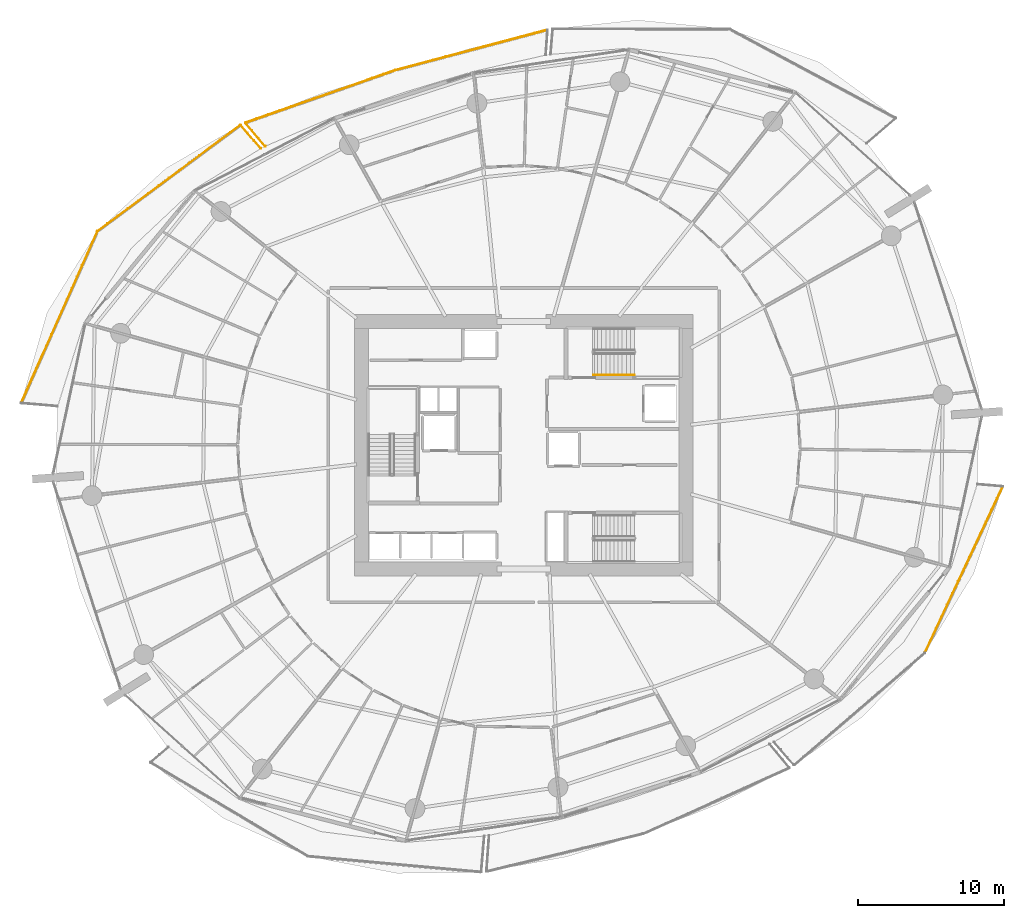
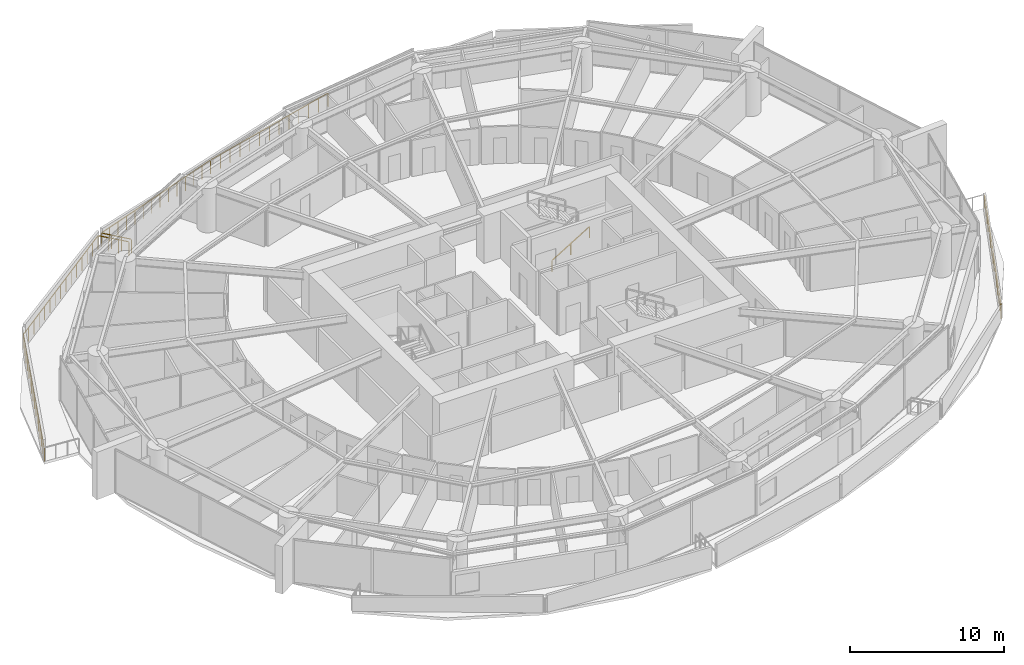
# One storey, part 29 of 31: 8 railings.
"""IFC4 building model written with IfcOpenShell, lengths in metres."""

from ifc_helpers import new_model, si_unit, direction, frame, origin, origin_2d, place, context, subcontext, project, spatial, rectangle, extrude, material, type_object, element, save


model = new_model("IFC4")

# Units and contexts
model_context = context("Model", 3, precision=1e-05, world=origin(), true_north=direction((0.0, 1.0)))
body_context = subcontext(model_context, "Body", "Model", "MODEL_VIEW")
ifc_project = project(units=[si_unit("LENGTHUNIT", "METRE"), si_unit("AREAUNIT", "SQUARE_METRE"), si_unit("VOLUMEUNIT", "CUBIC_METRE"), si_unit("PLANEANGLEUNIT", "RADIAN"), si_unit("MASSUNIT", "GRAM", prefix="KILO")], contexts=[model_context])

# Site, building, storey
site_placement = place(None, origin())
site = spatial("IfcSite", under=ifc_project, at=site_placement, CompositionType="ELEMENT")
building_placement = place(site_placement, origin())
building = spatial("IfcBuilding", under=site, at=building_placement, Name="Kazma Halo Residences", CompositionType="ELEMENT")
storey_placement = place(building_placement, frame((0.0, 0.0, 45.14990234375)))
storey = spatial("IfcBuildingStorey", under=building, at=storey_placement, Name="L10", CompositionType="ELEMENT", Elevation=45.14990234375)

# Railings
ifc_material_1 = material(Name="Aluminium AW-6063 T6 Brushed Cap Rail", Category="aluminium")
railing_type_1 = type_object("IfcRailingType", Name="RLG-BAL-CAP-1120", PredefinedType="BALUSTRADE", material=ifc_material_1)
railing_1_placement = place(storey_placement, frame((50.06103515625, 70.406494140625, 0.0)))
element("IfcRailing", 1, at=railing_1_placement, inside=storey, type_object=railing_type_1, Name="L10 NNW wave balcony guard 2", PredefinedType="BALUSTRADE", context=body_context, shape_type="SweptSolid", body=[
    extrude(rectangle(XDim=0.050048828125, YDim=0.050048828125, at=origin_2d()), frame((-0.041015625, -0.010986328125, 1.09521484375), z_axis=(-0.96658520926, -0.256345534853, 0.0), x_axis=(0.256345534853, -0.96658520926, 0.0)), (0.0, 0.0, 1.0), 10.669189453125),
    extrude(rectangle(XDim=0.0400390625, YDim=0.0400390625, at=origin_2d()), origin(), (0.0, 0.0, 1.0), 1.05810546875),
    extrude(rectangle(XDim=0.0400390625, YDim=0.0400390625, at=origin_2d()), frame((-0.8662109375, -0.229736328125, 0.0)), (0.0, 0.0, 1.0), 1.05810546875),
    extrude(rectangle(XDim=0.0400390625, YDim=0.0400390625, at=origin_2d()), frame((-1.732421875, -0.45947265625, 0.0)), (0.0, 0.0, 1.0), 1.05810546875),
    extrude(rectangle(XDim=0.0400390625, YDim=0.0400390625, at=origin_2d()), frame((-2.5986328125, -0.689208984375, 0.0)), (0.0, 0.0, 1.0), 1.05810546875),
    extrude(rectangle(XDim=0.0400390625, YDim=0.0400390625, at=origin_2d()), frame((-3.465087890625, -0.9189453125, 0.0)), (0.0, 0.0, 1.0), 1.05810546875),
    extrude(rectangle(XDim=0.0400390625, YDim=0.0400390625, at=origin_2d()), frame((-4.331298828125, -1.148681640625, 0.0)), (0.0, 0.0, 1.0), 1.05810546875),
    extrude(rectangle(XDim=0.0400390625, YDim=0.0400390625, at=origin_2d()), frame((-5.197509765625, -1.37841796875, 0.0)), (0.0, 0.0, 1.0), 1.05810546875),
    extrude(rectangle(XDim=0.0400390625, YDim=0.0400390625, at=origin_2d()), frame((-6.063720703125, -1.608154296875, 0.0)), (0.0, 0.0, 1.0), 1.05810546875),
    extrude(rectangle(XDim=0.0400390625, YDim=0.0400390625, at=origin_2d()), frame((-6.929931640625, -1.837890625, 0.0)), (0.0, 0.0, 1.0), 1.05810546875),
    extrude(rectangle(XDim=0.0400390625, YDim=0.0400390625, at=origin_2d()), frame((-7.79638671875, -2.067626953125, 0.0)), (0.0, 0.0, 1.0), 1.05810546875),
    extrude(rectangle(XDim=0.0400390625, YDim=0.0400390625, at=origin_2d()), frame((-8.66259765625, -2.29736328125, 0.0)), (0.0, 0.0, 1.0), 1.05810546875),
    extrude(rectangle(XDim=0.0400390625, YDim=0.0400390625, at=origin_2d()), frame((-9.52880859375, -2.527099609375, 0.0)), (0.0, 0.0, 1.0), 1.05810546875),
    extrude(rectangle(XDim=0.0400390625, YDim=0.0400390625, at=origin_2d()), frame((-10.39501953125, -2.7568359375, 0.0)), (0.0, 0.0, 1.0), 1.05810546875),
])
railing_2_placement = place(storey_placement, frame((39.666015625, 67.649658203125, 0.0)))
element("IfcRailing", 2, at=railing_2_placement, inside=storey, type_object=railing_type_1, Name="L10 NNW wave balcony guard 3", PredefinedType="BALUSTRADE", context=body_context, shape_type="SweptSolid", body=[
    extrude(rectangle(XDim=0.050048828125, YDim=0.050048828125, at=origin_2d()), frame((-0.0400390625, -0.01416015625, 1.09521484375), z_axis=(-0.94363281915, -0.330994112672, 0.0), x_axis=(0.330994112672, -0.94363281915, 0.0)), (0.0, 0.0, 1.0), 10.793701171875),
    extrude(rectangle(XDim=0.0400390625, YDim=0.0400390625, at=origin_2d()), origin(), (0.0, 0.0, 1.0), 1.05810546875),
    extrude(rectangle(XDim=0.0400390625, YDim=0.0400390625, at=origin_2d()), frame((-0.78955078125, -0.277099609375, 0.0)), (0.0, 0.0, 1.0), 1.05810546875),
    extrude(rectangle(XDim=0.0400390625, YDim=0.0400390625, at=origin_2d()), frame((-1.579345703125, -0.553955078125, 0.0)), (0.0, 0.0, 1.0), 1.05810546875),
    extrude(rectangle(XDim=0.0400390625, YDim=0.0400390625, at=origin_2d()), frame((-2.368896484375, -0.8310546875, 0.0)), (0.0, 0.0, 1.0), 1.05810546875),
    extrude(rectangle(XDim=0.0400390625, YDim=0.0400390625, at=origin_2d()), frame((-3.15869140625, -1.10791015625, 0.0)), (0.0, 0.0, 1.0), 1.05810546875),
    extrude(rectangle(XDim=0.0400390625, YDim=0.0400390625, at=origin_2d()), frame((-3.9482421875, -1.385009765625, 0.0)), (0.0, 0.0, 1.0), 1.05810546875),
    extrude(rectangle(XDim=0.0400390625, YDim=0.0400390625, at=origin_2d()), frame((-4.738037109375, -1.661865234375, 0.0)), (0.0, 0.0, 1.0), 1.05810546875),
    extrude(rectangle(XDim=0.0400390625, YDim=0.0400390625, at=origin_2d()), frame((-5.527587890625, -1.93896484375, 0.0)), (0.0, 0.0, 1.0), 1.05810546875),
    extrude(rectangle(XDim=0.0400390625, YDim=0.0400390625, at=origin_2d()), frame((-6.3173828125, -2.2158203125, 0.0)), (0.0, 0.0, 1.0), 1.05810546875),
    extrude(rectangle(XDim=0.0400390625, YDim=0.0400390625, at=origin_2d()), frame((-7.10693359375, -2.492919921875, 0.0)), (0.0, 0.0, 1.0), 1.05810546875),
    extrude(rectangle(XDim=0.0400390625, YDim=0.0400390625, at=origin_2d()), frame((-7.896728515625, -2.769775390625, 0.0)), (0.0, 0.0, 1.0), 1.05810546875),
    extrude(rectangle(XDim=0.0400390625, YDim=0.0400390625, at=origin_2d()), frame((-8.686279296875, -3.046875, 0.0)), (0.0, 0.0, 1.0), 1.05810546875),
    extrude(rectangle(XDim=0.0400390625, YDim=0.0400390625, at=origin_2d()), frame((-9.47607421875, -3.32373046875, 0.0)), (0.0, 0.0, 1.0), 1.05810546875),
    extrude(rectangle(XDim=0.0400390625, YDim=0.0400390625, at=origin_2d()), frame((-10.265625, -3.600830078125, 0.0)), (0.0, 0.0, 1.0), 1.05810546875),
])
railing_3_placement = place(storey_placement, frame((29.400390625, 64.048828125, 0.0)))
element("IfcRailing", 3, at=railing_3_placement, inside=storey, type_object=railing_type_1, Name="L10 NNW wave balcony guard 4", PredefinedType="BALUSTRADE", context=body_context, shape_type="SweptSolid", body=[
    extrude(rectangle(XDim=0.050048828125, YDim=0.050048828125, at=origin_2d()), frame((0.02734375, -0.032470703125, 1.09521484375), z_axis=(0.644756106084, -0.764388359191, 0.0), x_axis=(0.764388359191, 0.644756106084, 0.0)), (0.0, 0.0, 1.0), 2.0107421875),
    extrude(rectangle(XDim=0.0400390625, YDim=0.0400390625, at=origin_2d()), origin(), (0.0, 0.0, 1.0), 1.05810546875),
    extrude(rectangle(XDim=0.0400390625, YDim=0.0400390625, at=origin_2d()), frame((0.450439453125, -0.533935546875, 0.0)), (0.0, 0.0, 1.0), 1.05810546875),
    extrude(rectangle(XDim=0.0400390625, YDim=0.0400390625, at=origin_2d()), frame((0.90087890625, -1.068115234375, 0.0)), (0.0, 0.0, 1.0), 1.05810546875),
    extrude(rectangle(XDim=0.0400390625, YDim=0.0400390625, at=origin_2d()), frame((1.351318359375, -1.60205078125, 0.0)), (0.0, 0.0, 1.0), 1.05810546875),
])
railing_4_placement = place(storey_placement, frame((30.453857421875, 62.29150390625, 0.0)))
element("IfcRailing", 4, at=railing_4_placement, inside=storey, type_object=railing_type_1, Name="L10 NW wave balcony guard 1", PredefinedType="BALUSTRADE", context=body_context, shape_type="SweptSolid", body=[
    extrude(rectangle(XDim=0.050048828125, YDim=0.050048828125, at=origin_2d()), frame((-0.02783203125, 0.0322265625, 1.09521484375), z_axis=(-0.654075382173, 0.756429371743, 0.0), x_axis=(-0.756429371743, -0.654075382173, 0.0)), (0.0, 0.0, 1.0), 2.035400390625),
    extrude(rectangle(XDim=0.0400390625, YDim=0.0400390625, at=origin_2d()), origin(), (0.0, 0.0, 1.0), 1.05810546875),
    extrude(rectangle(XDim=0.0400390625, YDim=0.0400390625, at=origin_2d()), frame((-0.46240234375, 0.53466796875, 0.0)), (0.0, 0.0, 1.0), 1.05810546875),
    extrude(rectangle(XDim=0.0400390625, YDim=0.0400390625, at=origin_2d()), frame((-0.924560546875, 1.0693359375, 0.0)), (0.0, 0.0, 1.0), 1.05810546875),
    extrude(rectangle(XDim=0.0400390625, YDim=0.0400390625, at=origin_2d()), frame((-1.386962890625, 1.60400390625, 0.0)), (0.0, 0.0, 1.0), 1.05810546875),
])
railing_5_placement = place(storey_placement, frame((29.06689453125, 63.8955078125, 0.0)))
element("IfcRailing", 5, at=railing_5_placement, inside=storey, type_object=railing_type_1, Name="L10 NW wave balcony guard 2", PredefinedType="BALUSTRADE", context=body_context, shape_type="SweptSolid", body=[
    extrude(rectangle(XDim=0.050048828125, YDim=0.050048828125, at=origin_2d()), frame((-0.0341796875, -0.025390625, 1.09521484375), z_axis=(-0.802949864107, -0.596046571779, 0.0), x_axis=(0.596046571779, -0.802949864107, 0.0)), (0.0, 0.0, 1.0), 12.1005859375),
    extrude(rectangle(XDim=0.0400390625, YDim=0.0400390625, at=origin_2d()), origin(), (0.0, 0.0, 1.0), 1.05810546875),
    extrude(rectangle(XDim=0.0400390625, YDim=0.0400390625, at=origin_2d()), frame((-0.698974609375, -0.518798828125, 0.0)), (0.0, 0.0, 1.0), 1.05810546875),
    extrude(rectangle(XDim=0.0400390625, YDim=0.0400390625, at=origin_2d()), frame((-1.397705078125, -1.03759765625, 0.0)), (0.0, 0.0, 1.0), 1.05810546875),
    extrude(rectangle(XDim=0.0400390625, YDim=0.0400390625, at=origin_2d()), frame((-2.0966796875, -1.556396484375, 0.0)), (0.0, 0.0, 1.0), 1.05810546875),
    extrude(rectangle(XDim=0.0400390625, YDim=0.0400390625, at=origin_2d()), frame((-2.795654296875, -2.0751953125, 0.0)), (0.0, 0.0, 1.0), 1.05810546875),
    extrude(rectangle(XDim=0.0400390625, YDim=0.0400390625, at=origin_2d()), frame((-3.494384765625, -2.593994140625, 0.0)), (0.0, 0.0, 1.0), 1.05810546875),
    extrude(rectangle(XDim=0.0400390625, YDim=0.0400390625, at=origin_2d()), frame((-4.193359375, -3.11279296875, 0.0)), (0.0, 0.0, 1.0), 1.05810546875),
    extrude(rectangle(XDim=0.0400390625, YDim=0.0400390625, at=origin_2d()), frame((-4.89208984375, -3.631591796875, 0.0)), (0.0, 0.0, 1.0), 1.05810546875),
    extrude(rectangle(XDim=0.0400390625, YDim=0.0400390625, at=origin_2d()), frame((-5.591064453125, -4.150390625, 0.0)), (0.0, 0.0, 1.0), 1.05810546875),
    extrude(rectangle(XDim=0.0400390625, YDim=0.0400390625, at=origin_2d()), frame((-6.2900390625, -4.669189453125, 0.0)), (0.0, 0.0, 1.0), 1.05810546875),
    extrude(rectangle(XDim=0.0400390625, YDim=0.0400390625, at=origin_2d()), frame((-6.98876953125, -5.18798828125, 0.0)), (0.0, 0.0, 1.0), 1.05810546875),
    extrude(rectangle(XDim=0.0400390625, YDim=0.0400390625, at=origin_2d()), frame((-7.687744140625, -5.706787109375, 0.0)), (0.0, 0.0, 1.0), 1.05810546875),
    extrude(rectangle(XDim=0.0400390625, YDim=0.0400390625, at=origin_2d()), frame((-8.38671875, -6.2255859375, 0.0)), (0.0, 0.0, 1.0), 1.05810546875),
    extrude(rectangle(XDim=0.0400390625, YDim=0.0400390625, at=origin_2d()), frame((-9.08544921875, -6.744384765625, 0.0)), (0.0, 0.0, 1.0), 1.05810546875),
    extrude(rectangle(XDim=0.0400390625, YDim=0.0400390625, at=origin_2d()), frame((-9.784423828125, -7.26318359375, 0.0)), (0.0, 0.0, 1.0), 1.05810546875),
])
railing_6_placement = place(storey_placement, frame((19.282470703125, 56.63232421875, 0.0)))
element("IfcRailing", 6, at=railing_6_placement, inside=storey, type_object=railing_type_1, Name="L10 NW wave balcony guard 3", PredefinedType="BALUSTRADE", context=body_context, shape_type="SweptSolid", body=[
    extrude(rectangle(XDim=0.050048828125, YDim=0.050048828125, at=origin_2d()), frame((-0.017333984375, -0.038818359375, 1.09521484375), z_axis=(-0.405946458784, -0.91389686103, 0.0), x_axis=(0.91389686103, -0.405946458784, 0.0)), (0.0, 0.0, 1.0), 12.77490234375),
    extrude(rectangle(XDim=0.0400390625, YDim=0.0400390625, at=origin_2d()), origin(), (0.0, 0.0, 1.0), 1.05810546875),
    extrude(rectangle(XDim=0.0400390625, YDim=0.0400390625, at=origin_2d()), frame((-0.34814453125, -0.783447265625, 0.0)), (0.0, 0.0, 1.0), 1.05810546875),
    extrude(rectangle(XDim=0.0400390625, YDim=0.0400390625, at=origin_2d()), frame((-0.696044921875, -1.567138671875, 0.0)), (0.0, 0.0, 1.0), 1.05810546875),
    extrude(rectangle(XDim=0.0400390625, YDim=0.0400390625, at=origin_2d()), frame((-1.044189453125, -2.3505859375, 0.0)), (0.0, 0.0, 1.0), 1.05810546875),
    extrude(rectangle(XDim=0.0400390625, YDim=0.0400390625, at=origin_2d()), frame((-1.39208984375, -3.134033203125, 0.0)), (0.0, 0.0, 1.0), 1.05810546875),
    extrude(rectangle(XDim=0.0400390625, YDim=0.0400390625, at=origin_2d()), frame((-1.740234375, -3.91748046875, 0.0)), (0.0, 0.0, 1.0), 1.05810546875),
    extrude(rectangle(XDim=0.0400390625, YDim=0.0400390625, at=origin_2d()), frame((-2.088134765625, -4.701171875, 0.0)), (0.0, 0.0, 1.0), 1.05810546875),
    extrude(rectangle(XDim=0.0400390625, YDim=0.0400390625, at=origin_2d()), frame((-2.436279296875, -5.484619140625, 0.0)), (0.0, 0.0, 1.0), 1.05810546875),
    extrude(rectangle(XDim=0.0400390625, YDim=0.0400390625, at=origin_2d()), frame((-2.7841796875, -6.26806640625, 0.0)), (0.0, 0.0, 1.0), 1.05810546875),
    extrude(rectangle(XDim=0.0400390625, YDim=0.0400390625, at=origin_2d()), frame((-3.13232421875, -7.051513671875, 0.0)), (0.0, 0.0, 1.0), 1.05810546875),
    extrude(rectangle(XDim=0.0400390625, YDim=0.0400390625, at=origin_2d()), frame((-3.480224609375, -7.835205078125, 0.0)), (0.0, 0.0, 1.0), 1.05810546875),
    extrude(rectangle(XDim=0.0400390625, YDim=0.0400390625, at=origin_2d()), frame((-3.828369140625, -8.61865234375, 0.0)), (0.0, 0.0, 1.0), 1.05810546875),
    extrude(rectangle(XDim=0.0400390625, YDim=0.0400390625, at=origin_2d()), frame((-4.17626953125, -9.402099609375, 0.0)), (0.0, 0.0, 1.0), 1.05810546875),
    extrude(rectangle(XDim=0.0400390625, YDim=0.0400390625, at=origin_2d()), frame((-4.5244140625, -10.185546875, 0.0)), (0.0, 0.0, 1.0), 1.05810546875),
    extrude(rectangle(XDim=0.0400390625, YDim=0.0400390625, at=origin_2d()), frame((-4.872314453125, -10.96923828125, 0.0)), (0.0, 0.0, 1.0), 1.05810546875),
    extrude(rectangle(XDim=0.0400390625, YDim=0.0400390625, at=origin_2d()), frame((-5.220458984375, -11.752685546875, 0.0)), (0.0, 0.0, 1.0), 1.05810546875),
])
railing_7_placement = place(storey_placement, frame((75.861328125, 27.803955078125, 0.0)))
element("IfcRailing", 7, at=railing_7_placement, inside=storey, type_object=railing_type_1, Name="L10 SE wave balcony guard 3", PredefinedType="BALUSTRADE", context=body_context, shape_type="SweptSolid", body=[
    extrude(rectangle(XDim=0.050048828125, YDim=0.050048828125, at=origin_2d()), frame((0.01806640625, 0.03857421875, 1.09521484375), z_axis=(0.424196429436, 0.905570201174, 0.0), x_axis=(-0.905570201174, 0.424196429436, 0.0)), (0.0, 0.0, 1.0), 12.481201171875),
    extrude(rectangle(XDim=0.0400390625, YDim=0.0400390625, at=origin_2d()), origin(), (0.0, 0.0, 1.0), 1.05810546875),
    extrude(rectangle(XDim=0.0400390625, YDim=0.0400390625, at=origin_2d()), frame((0.380859375, 0.812744140625, 0.0)), (0.0, 0.0, 1.0), 1.05810546875),
    extrude(rectangle(XDim=0.0400390625, YDim=0.0400390625, at=origin_2d()), frame((0.761474609375, 1.625732421875, 0.0)), (0.0, 0.0, 1.0), 1.05810546875),
    extrude(rectangle(XDim=0.0400390625, YDim=0.0400390625, at=origin_2d()), frame((1.142333984375, 2.4384765625, 0.0)), (0.0, 0.0, 1.0), 1.05810546875),
    extrude(rectangle(XDim=0.0400390625, YDim=0.0400390625, at=origin_2d()), frame((1.52294921875, 3.251220703125, 0.0)), (0.0, 0.0, 1.0), 1.05810546875),
    extrude(rectangle(XDim=0.0400390625, YDim=0.0400390625, at=origin_2d()), frame((1.90380859375, 4.064208984375, 0.0)), (0.0, 0.0, 1.0), 1.05810546875),
    extrude(rectangle(XDim=0.0400390625, YDim=0.0400390625, at=origin_2d()), frame((2.284423828125, 4.876953125, 0.0)), (0.0, 0.0, 1.0), 1.05810546875),
    extrude(rectangle(XDim=0.0400390625, YDim=0.0400390625, at=origin_2d()), frame((2.665283203125, 5.68994140625, 0.0)), (0.0, 0.0, 1.0), 1.05810546875),
    extrude(rectangle(XDim=0.0400390625, YDim=0.0400390625, at=origin_2d()), frame((3.046142578125, 6.502685546875, 0.0)), (0.0, 0.0, 1.0), 1.05810546875),
    extrude(rectangle(XDim=0.0400390625, YDim=0.0400390625, at=origin_2d()), frame((3.4267578125, 7.3154296875, 0.0)), (0.0, 0.0, 1.0), 1.05810546875),
    extrude(rectangle(XDim=0.0400390625, YDim=0.0400390625, at=origin_2d()), frame((3.8076171875, 8.12841796875, 0.0)), (0.0, 0.0, 1.0), 1.05810546875),
    extrude(rectangle(XDim=0.0400390625, YDim=0.0400390625, at=origin_2d()), frame((4.188232421875, 8.941162109375, 0.0)), (0.0, 0.0, 1.0), 1.05810546875),
    extrude(rectangle(XDim=0.0400390625, YDim=0.0400390625, at=origin_2d()), frame((4.569091796875, 9.75390625, 0.0)), (0.0, 0.0, 1.0), 1.05810546875),
    extrude(rectangle(XDim=0.0400390625, YDim=0.0400390625, at=origin_2d()), frame((4.94970703125, 10.56689453125, 0.0)), (0.0, 0.0, 1.0), 1.05810546875),
    extrude(rectangle(XDim=0.0400390625, YDim=0.0400390625, at=origin_2d()), frame((5.33056640625, 11.379638671875, 0.0)), (0.0, 0.0, 1.0), 1.05810546875),
])
ifc_material_2 = material(Name="Brushed Stainless Steel", Category="steel")
railing_type_2 = type_object("IfcRailingType", Name="RLG-STAIR-HND-900", PredefinedType="HANDRAIL", material=ifc_material_2)
railing_8_placement = place(storey_placement, frame((53.199951171875, 46.800048828125, 0.170654296875)))
element("IfcRailing", 8, at=railing_8_placement, inside=storey, type_object=railing_type_2, Name="L10 ST-02 stair handrail 1", PredefinedType="HANDRAIL", context=body_context, shape_type="SweptSolid", body=[
    extrude(rectangle(XDim=0.050048828125, YDim=0.050048828125, at=origin_2d()), frame((0.036376953125, 0.0, 0.89697265625), z_axis=(0.854202870247, 0.0, 0.519939858505), x_axis=(0.0, 1.0, 0.0)), (0.0, 0.0, 1.0), 3.19287109375),
    extrude(rectangle(XDim=0.0400390625, YDim=0.0400390625, at=origin_2d()), origin(), (0.0, 0.0, 1.0), 0.837890625),
    extrude(rectangle(XDim=0.0400390625, YDim=0.0400390625, at=origin_2d()), frame((1.39990234375, 0.0, 0.85205078125)), (0.0, 0.0, 1.0), 0.837890625),
    extrude(rectangle(XDim=0.0400390625, YDim=0.0400390625, at=origin_2d()), frame((2.800048828125, 0.0, 1.704345703125)), (0.0, 0.0, 1.0), 0.837890625),
])

save(model, "model.ifc")
